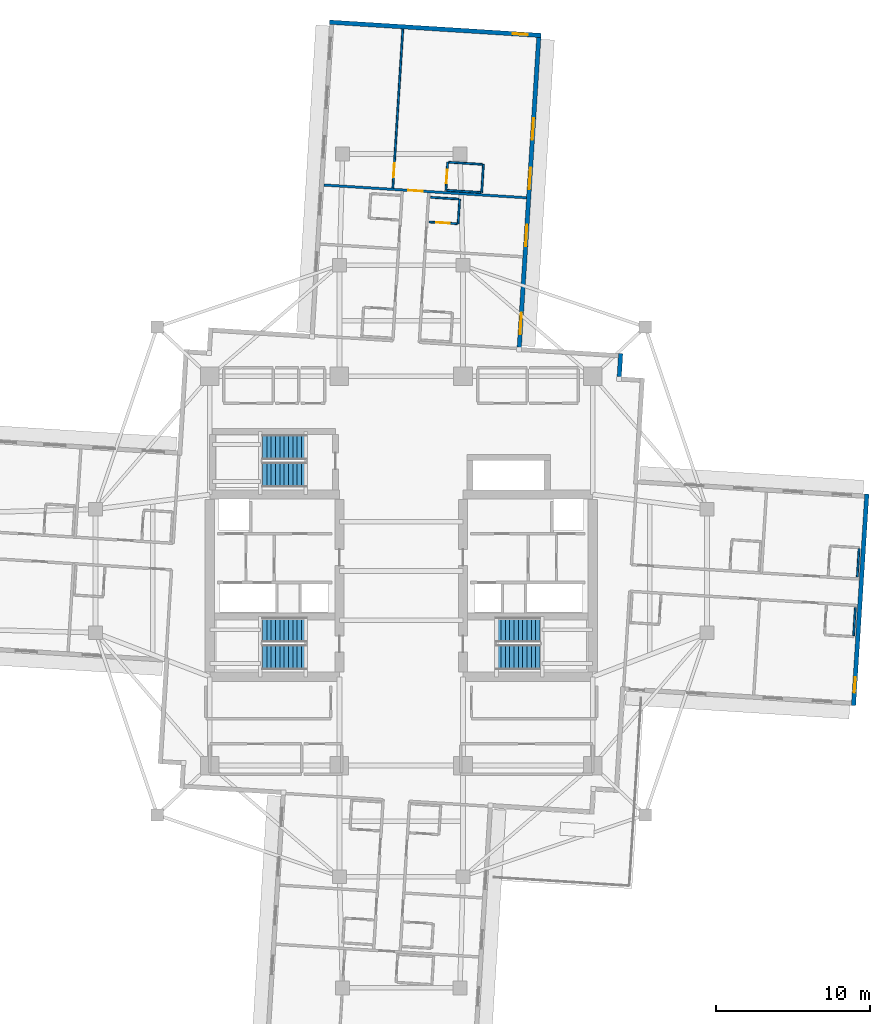
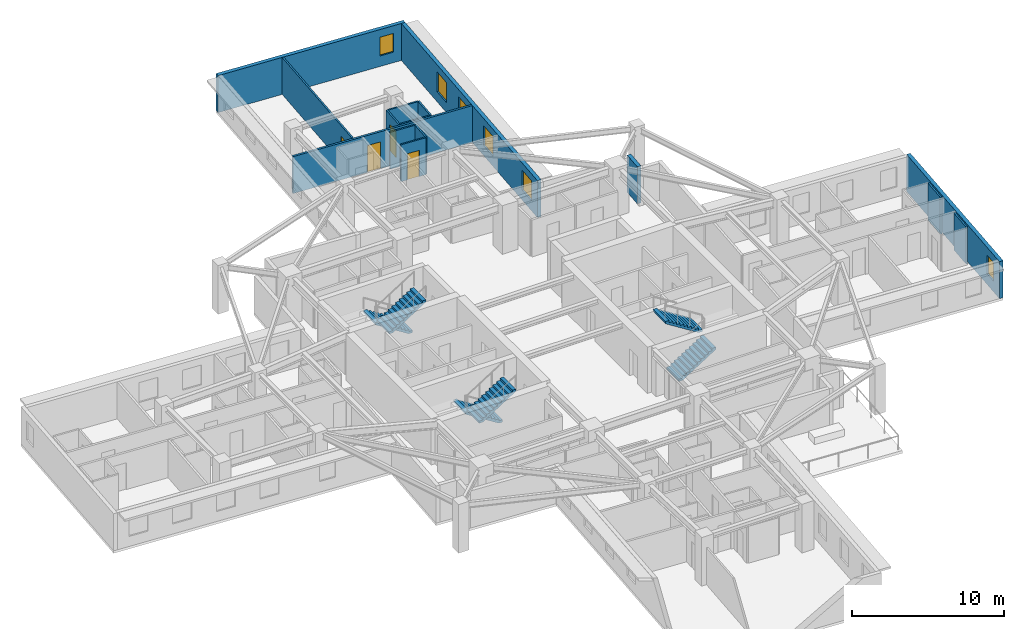
# One storey, part 9 of 14: 15 walls, 6 stair flights, 6 windows, 4 doors, 10 openings, 3 elements without a shape of their own.
"""IFC4 building model written with IfcOpenShell, lengths in metres."""

from ifc_helpers import new_model, si_unit, direction, frame, frame_2d, origin, place, context, subcontext, project, spatial, polyline, rectangle, outline, extrude, material, layer, layer_set, type_object, element, fill, aggregate, save


model = new_model("IFC4")

# Units and contexts
model_context = context("Model", 3, precision=1e-05, world=origin(), true_north=direction((0.0, 1.0)))
body_context = subcontext(model_context, "Body", "Model", "MODEL_VIEW")
ifc_project = project(units=[si_unit("LENGTHUNIT", "METRE"), si_unit("AREAUNIT", "SQUARE_METRE"), si_unit("VOLUMEUNIT", "CUBIC_METRE"), si_unit("PLANEANGLEUNIT", "RADIAN"), si_unit("MASSUNIT", "GRAM", prefix="KILO")], contexts=[model_context])

# Site, building, storey
site_placement = place(None, origin())
site = spatial("IfcSite", under=ifc_project, at=site_placement, CompositionType="ELEMENT")
building_placement = place(site_placement, origin())
building = spatial("IfcBuilding", under=site, at=building_placement, Name="Qingluan Cross Belvedere", CompositionType="ELEMENT")
storey_placement = place(building_placement, frame((0.0, 0.0, 168.300048828125)))
storey = spatial("IfcBuildingStorey", under=building, at=storey_placement, Name="L42", CompositionType="ELEMENT", Elevation=168.300048828125)

# Wall, opening, door
ifc_material_1 = material(Name="Gypsum plasterboard on steel stud acoustic partition", Category="steel")
ifc_layer_1 = layer(ifc_material_1, 0.159912109375, Name="CorridorPartition_160")
ifc_layer_set_1 = layer_set([ifc_layer_1], Name="Gypsum plasterboard on steel stud acoustic partition")
wall_type_1 = type_object("IfcWallType", Name="CorridorPartition_160", PredefinedType="PARTITIONING", material=ifc_layer_set_1)
wall_1_placement = place(storey_placement, frame((-5.012451171875, 24.994140625, 0.0), z_axis=(0.0, 0.0, 1.0), x_axis=(0.998026109115, -0.062800362452, 0.0)))
wall_1 = element("IfcWall", 1, at=wall_1_placement, inside=storey, type_object=wall_type_1, Name="Partition L42:Ncap:in", PredefinedType="PARTITIONING", context=body_context, shape_type="SweptSolid", body=[
    extrude(rectangle(XDim=13.143798828125, YDim=0.159912109375, at=frame_2d((6.57177734375, 0.0))), origin(), (0.0, 0.0, 1.0), 2.9599609375),
])
opening_1_placement = place(wall_1_placement, frame((5.471923828125, 0.0, 0.0)))
opening_1 = element("IfcOpeningElement", 2, at=opening_1_placement, cuts=wall_1, Name="Opening GD-10", PredefinedType="OPENING", context=body_context, shape_type="SweptSolid", body=[
    extrude(rectangle(XDim=0.9599609375, YDim=2.14990234375, at=frame_2d((0.47998046875, 1.074951171875))), frame((0.0, 0.08984375, 0.0), z_axis=(0.0, -1.0, 0.0), x_axis=(1.0, 0.0, 0.0)), (0.0, 0.0, 1.0), 0.179931640625),
])
ifc_material_2 = material(Name="Timber oak fire-rated acoustic guestroom door", Category="wood")
door_type_1 = type_object("IfcDoorType", Name="GuestEntryDoor_FD60", OperationType="NOTDEFINED", PredefinedType="DOOR", material=ifc_material_2)
door_1_placement = place(opening_1_placement, origin())
door_1 = element("IfcDoor", 3, at=door_1_placement, inside=storey, type_object=door_type_1, Name="Horizon corner suite door L42N", OperationType="SINGLE_SWING_LEFT", OverallHeight=2.14990234375, OverallWidth=0.9599609375, PredefinedType="DOOR", context=body_context, shape_type="SweptSolid", body=[
    extrude(rectangle(XDim=0.9599609375, YDim=2.14990234375, at=frame_2d((0.47998046875, 1.074951171875))), frame((0.0, 0.02490234375, 0.0), z_axis=(0.0, -1.0, 0.0), x_axis=(1.0, 0.0, 0.0)), (0.0, 0.0, 1.0), 0.050048828125),
])
fill(opening_1, door_1)

# Walls
ifc_material_3 = material(Name="Moisture-resistant gypsum board lining")
ifc_layer_2 = layer(ifc_material_3, 0.1201171875, Name="EnsuiteWetPartition_120")
ifc_layer_set_2 = layer_set([ifc_layer_2], Name="Moisture-resistant gypsum board lining")
wall_type_2 = type_object("IfcWallType", Name="EnsuiteWetPartition_120", PredefinedType="PARTITIONING", material=ifc_layer_set_2)
for number, where, z_axis, x_axis, name in (
    (4, (29.53466796875, -0.375244140625, 0.0), (0.0, 0.0, 1.0), (0.062779145668, 0.998027443946, 0.0), "Partition L42:E:bw0_1"),
    (5, (29.294921875, -4.187744140625, 0.0), (0.0, 0.0, 1.0), (0.062779145668, 0.998027443946, 0.0), "Partition L42:E:bw1_1"),
):
    element("IfcWall", number, at=place(storey_placement, frame(where, z_axis=z_axis, x_axis=x_axis)), inside=storey, type_object=wall_type_2, Name=name, PredefinedType="PARTITIONING", context=body_context, shape_type="SweptSolid", body=[
        extrude(rectangle(XDim=1.820068359375, YDim=0.1201171875, at=frame_2d((0.91015625, 0.0))), origin(), (0.0, 0.0, 1.0), 2.9599609375),
    ])

# Wall, opening, door
wall_2_placement = place(storey_placement, frame((1.802734375, 22.601318359375, 0.0), z_axis=(0.0, 0.0, 1.0), x_axis=(0.998027443946, -0.062779145668, 0.0)))
wall_2 = element("IfcWall", 6, at=wall_2_placement, inside=storey, type_object=wall_type_2, Name="Partition L42:N:bs0_1", PredefinedType="PARTITIONING", context=body_context, shape_type="SweptSolid", body=[
    extrude(rectangle(XDim=1.820068359375, YDim=0.1201171875, at=frame_2d((0.91015625, 0.0))), origin(), (0.0, 0.0, 1.0), 2.9599609375),
])
opening_2_placement = place(wall_2_placement, frame((0.469970703125, 0.0, 0.0)))
opening_2 = element("IfcOpeningElement", 7, at=opening_2_placement, cuts=wall_2, Name="Opening BD-09", PredefinedType="OPENING", context=body_context, shape_type="SweptSolid", body=[
    extrude(rectangle(XDim=0.8798828125, YDim=2.10009765625, at=frame_2d((0.43994140625, 1.050048828125))), frame((0.0, 0.070068359375, 0.0), z_axis=(0.0, -1.0, 0.0), x_axis=(1.0, 0.0, 0.0)), (0.0, 0.0, 1.0), 0.14013671875),
])
ifc_material_4 = material(Name="Moisture-sealed timber en-suite door", Category="wood")
door_type_2 = type_object("IfcDoorType", Name="BathroomDoor_880", OperationType="NOTDEFINED", PredefinedType="DOOR", material=ifc_material_4)
door_2_placement = place(opening_2_placement, origin())
door_2 = element("IfcDoor", 8, at=door_2_placement, inside=storey, type_object=door_type_2, Name="Bathroom door 4212", OperationType="SINGLE_SWING_LEFT", OverallHeight=2.10009765625, OverallWidth=0.8798828125, PredefinedType="DOOR", context=body_context, shape_type="SweptSolid", body=[
    extrude(rectangle(XDim=0.8798828125, YDim=2.10009765625, at=frame_2d((0.43994140625, 1.050048828125))), frame((0.0, 0.02490234375, 0.0), z_axis=(0.0, -1.0, 0.0), x_axis=(1.0, 0.0, 0.0)), (0.0, 0.0, 1.0), 0.050048828125),
])
fill(opening_2, door_2)

# Walls
wall_3_placement = place(storey_placement, frame((1.9033203125, 24.1982421875, 0.0), z_axis=(0.0, 0.0, 1.0), x_axis=(0.998026915151, -0.062787551592, 0.0)))
element("IfcWall", 9, at=wall_3_placement, inside=storey, type_object=wall_type_2, Name="Partition L42:N:bw0_1", PredefinedType="PARTITIONING", context=body_context, shape_type="SweptSolid", body=[
    extrude(rectangle(XDim=1.81982421875, YDim=0.1201171875, at=frame_2d((0.909912109375, 0.0))), origin(), (0.0, 0.0, 1.0), 2.9599609375),
])
wall_4_placement = place(storey_placement, frame((3.68408203125, 22.48291015625, 0.0), z_axis=(0.0, 0.0, 1.0), x_axis=(0.06271075472, 0.998031743605, 0.0)))
element("IfcWall", 10, at=wall_4_placement, inside=storey, type_object=wall_type_2, Name="Partition L42:N:bn0_1", PredefinedType="PARTITIONING", context=body_context, shape_type="SweptSolid", body=[
    extrude(rectangle(XDim=1.60009765625, YDim=0.1201171875, at=frame_2d((0.800048828125, 0.0))), origin(), (0.0, 0.0, 1.0), 2.9599609375),
])

# Wall, opening, door
wall_5_placement = place(storey_placement, frame((-0.543701171875, 24.802978515625, 0.0), z_axis=(0.0, 0.0, 1.0), x_axis=(0.062786562543, 0.998026977373, 0.0)))
wall_5 = element("IfcWall", 11, at=wall_5_placement, inside=storey, type_object=wall_type_2, Name="Partition L42:Ncap:m2", PredefinedType="PARTITIONING", context=body_context, shape_type="SweptSolid", body=[
    extrude(rectangle(XDim=10.31201171875, YDim=0.1201171875, at=frame_2d((5.156005859375, 0.0))), origin(), (0.0, 0.0, 1.0), 2.9599609375),
])
opening_3_placement = place(wall_5_placement, frame((0.699951171875, 0.0, 0.0)))
opening_3 = element("IfcOpeningElement", 12, at=opening_3_placement, cuts=wall_5, Name="Opening BD-89", PredefinedType="OPENING", context=body_context, shape_type="SweptSolid", body=[
    extrude(rectangle(XDim=0.89990234375, YDim=2.10009765625, at=frame_2d((0.449951171875, 1.050048828125))), frame((0.0, 0.070068359375, 0.0), z_axis=(0.0, -1.0, 0.0), x_axis=(1.0, 0.0, 0.0)), (0.0, 0.0, 1.0), 0.14013671875),
])
ifc_material_5 = material(Name="Timber acoustic study door", Category="wood")
door_type_3 = type_object("IfcDoorType", Name="SuiteStudyDoor_900", OperationType="NOTDEFINED", PredefinedType="DOOR", material=ifc_material_5)
door_3_placement = place(opening_3_placement, origin())
door_3 = element("IfcDoor", 13, at=door_3_placement, inside=storey, type_object=door_type_3, Name="Suite private study door L42N", OperationType="SINGLE_SWING_LEFT", OverallHeight=2.10009765625, OverallWidth=0.89990234375, PredefinedType="DOOR", context=body_context, shape_type="SweptSolid", body=[
    extrude(rectangle(XDim=0.89990234375, YDim=2.10009765625, at=frame_2d((0.449951171875, 1.050048828125))), frame((0.0, 0.02490234375, 0.0), z_axis=(0.0, -1.0, 0.0), x_axis=(1.0, 0.0, 0.0)), (0.0, 0.0, 1.0), 0.050048828125),
])
fill(opening_3, door_3)

wall_6_placement = place(storey_placement, frame((2.893798828125, 24.656982421875, 0.0), z_axis=(0.0, 0.0, 1.0), x_axis=(0.062912758763, 0.998019030272, 0.0)))
wall_6 = element("IfcWall", 14, at=wall_6_placement, inside=storey, type_object=wall_type_2, Name="Partition L42:Ncap:b2s", PredefinedType="PARTITIONING", context=body_context, shape_type="SweptSolid", body=[
    extrude(rectangle(XDim=1.820068359375, YDim=0.1201171875, at=frame_2d((0.91015625, 0.0))), origin(), (0.0, 0.0, 1.0), 2.9599609375),
])
opening_4_placement = place(wall_6_placement, frame((0.449951171875, 0.0, 0.0)))
opening_4 = element("IfcOpeningElement", 15, at=opening_4_placement, cuts=wall_6, Name="Opening BD-09", PredefinedType="OPENING", context=body_context, shape_type="SweptSolid", body=[
    extrude(rectangle(XDim=0.8798828125, YDim=2.10009765625, at=frame_2d((0.43994140625, 1.050048828125))), frame((0.0, 0.070068359375, 0.0), z_axis=(0.0, -1.0, 0.0), x_axis=(1.0, 0.0, 0.0)), (0.0, 0.0, 1.0), 0.14013671875),
])
door_4_placement = place(opening_4_placement, origin())
door_4 = element("IfcDoor", 16, at=door_4_placement, inside=storey, type_object=door_type_2, Name="En-suite bathroom door L42N", OperationType="SINGLE_SWING_RIGHT", OverallHeight=2.10009765625, OverallWidth=0.8798828125, PredefinedType="DOOR", context=body_context, shape_type="SweptSolid", body=[
    extrude(rectangle(XDim=0.8798828125, YDim=2.10009765625, at=frame_2d((0.43994140625, 1.050048828125))), frame((0.0, 0.02490234375, 0.0), z_axis=(0.0, -1.0, 0.0), x_axis=(1.0, 0.0, 0.0)), (0.0, 0.0, 1.0), 0.050048828125),
])
fill(opening_4, door_4)

# Walls
wall_7_placement = place(storey_placement, frame((5.20947265625, 24.51123046875, 0.0), z_axis=(0.0, 0.0, 1.0), x_axis=(0.062645529196, 0.998035839873, 0.0)))
element("IfcWall", 17, at=wall_7_placement, inside=storey, type_object=wall_type_2, Name="Partition L42:Ncap:b2b", PredefinedType="PARTITIONING", context=body_context, shape_type="SweptSolid", body=[
    extrude(rectangle(XDim=1.820068359375, YDim=0.1201171875, at=frame_2d((0.91015625, 0.0))), origin(), (0.0, 0.0, 1.0), 2.9599609375),
])
wall_8_placement = place(storey_placement, frame((2.9638671875, 24.652587890625, 0.0), z_axis=(0.0, 0.0, 1.0), x_axis=(0.99802414895, -0.06283150573, 0.0)))
element("IfcWall", 18, at=wall_8_placement, inside=storey, type_object=wall_type_2, Name="Partition L42:Ncap:b2a", PredefinedType="PARTITIONING", context=body_context, shape_type="SweptSolid", body=[
    extrude(rectangle(XDim=2.179931640625, YDim=0.1201171875, at=frame_2d((1.08984375, 0.0))), origin(), (0.0, 0.0, 1.0), 2.9599609375),
])
wall_9_placement = place(storey_placement, frame((3.078125, 26.468994140625, 0.0), z_axis=(0.0, 0.0, 1.0), x_axis=(0.998024591026, -0.062824483344, 0.0)))
element("IfcWall", 19, at=wall_9_placement, inside=storey, type_object=wall_type_2, Name="Partition L42:Ncap:b2n", PredefinedType="PARTITIONING", context=body_context, shape_type="SweptSolid", body=[
    extrude(rectangle(XDim=2.18017578125, YDim=0.1201171875, at=frame_2d((1.090087890625, 0.0))), origin(), (0.0, 0.0, 1.0), 2.9599609375),
])

# Wall, opening, window
ifc_material_6 = material(Name="Precast concrete C45", Category="concrete")
ifc_layer_3 = layer(ifc_material_6, 0.280029296875, Name="PrecastFacadeWall_280")
ifc_layer_set_3 = layer_set([ifc_layer_3], Name="Precast concrete C45")
wall_type_3 = type_object("IfcWallType", Name="PrecastFacadeWall_280", PredefinedType="STANDARD", material=ifc_layer_set_3)
wall_10_placement = place(storey_placement, frame((29.29052734375, -8.71630859375, 0.0), z_axis=(0.0, 0.0, 1.0), x_axis=(0.062797041623, 0.998026318072, 0.0)))
wall_10 = element("IfcWall", 20, at=wall_10_placement, inside=storey, type_object=wall_type_3, Name="Arm tip precast facade wall L42-E", PredefinedType="STANDARD", context=body_context, shape_type="SweptSolid", body=[
    extrude(rectangle(XDim=13.719970703125, YDim=0.280029296875, at=frame_2d((6.85986328125, 0.0))), origin(), (0.0, 0.0, 1.0), 2.969970703125),
])
opening_5_placement = place(wall_10_placement, frame((0.85009765625, 0.0, 0.85009765625)))
opening_5 = element("IfcOpeningElement", 21, at=opening_5_placement, cuts=wall_10, Name="Opening W-03", PredefinedType="OPENING", context=body_context, shape_type="SweptSolid", body=[
    extrude(rectangle(XDim=1.0, YDim=1.5, at=frame_2d((0.5, 0.75))), frame((0.0, 0.14990234375, 0.0), z_axis=(0.0, -1.0, 0.0), x_axis=(1.0, 0.0, 0.0)), (0.0, 0.0, 1.0), 0.300048828125),
])
ifc_material_7 = material(Name="Thermally broken triple Low-E glass in aluminium frame", Category="aluminium")
window_type_1 = type_object("IfcWindowType", Name="TriApexWin_1000x1500", PartitioningType="SINGLE_PANEL", PredefinedType="WINDOW", material=ifc_material_7)
window_1_placement = place(opening_5_placement, origin())
window_1 = element("IfcWindow", 22, at=window_1_placement, inside=storey, type_object=window_type_1, Name="Arm tip triangular window L42-E", OverallHeight=1.5, OverallWidth=1.0, PartitioningType="SINGLE_PANEL", PredefinedType="WINDOW", context=body_context, shape_type="SweptSolid", body=[
    extrude(rectangle(XDim=1.0, YDim=1.5, at=frame_2d((0.5, 0.75))), frame((0.0, 0.030029296875, 0.0), z_axis=(0.0, -1.0, 0.0), x_axis=(1.0, 0.0, 0.0)), (0.0, 0.0, 1.0), 0.06005859375),
])
fill(opening_5, window_1)

# Wall, openings, windows
wall_11_placement = place(storey_placement, frame((7.644775390625, 14.488525390625, 0.0), z_axis=(0.0, 0.0, 1.0), x_axis=(0.06279645424, 0.99802635503, 0.0)))
wall_11 = element("IfcWall", 23, at=wall_11_placement, inside=storey, type_object=wall_type_3, Name="Facade wall L42-NA", PredefinedType="STANDARD", context=body_context, shape_type="SweptSolid", body=[
    extrude(rectangle(XDim=20.099853515625, YDim=0.280029296875, at=frame_2d((10.0498046875, 0.0))), origin(), (0.0, 0.0, 1.0), 2.969970703125),
])
opening_6_placement = place(wall_11_placement, frame((0.85009765625, 0.0, 0.800048828125)))
opening_6 = element("IfcOpeningElement", 24, at=opening_6_placement, cuts=wall_11, Name="Opening W-01", PredefinedType="OPENING", context=body_context, shape_type="SweptSolid", body=[
    extrude(rectangle(XDim=1.39990234375, YDim=1.60009765625, at=frame_2d((0.699951171875, 0.800048828125))), frame((0.0, 0.14990234375, 0.0), z_axis=(0.0, -1.0, 0.0), x_axis=(1.0, 0.0, 0.0)), (0.0, 0.0, 1.0), 0.300048828125),
])
opening_7_placement = place(wall_11_placement, frame((6.550048828125, 0.0, 0.800048828125)))
opening_7 = element("IfcOpeningElement", 25, at=opening_7_placement, cuts=wall_11, Name="Opening W-01", PredefinedType="OPENING", context=body_context, shape_type="SweptSolid", body=[
    extrude(rectangle(XDim=1.39990234375, YDim=1.60009765625, at=frame_2d((0.699951171875, 0.800048828125))), frame((0.0, 0.14990234375, 0.0), z_axis=(0.0, -1.0, 0.0), x_axis=(1.0, 0.0, 0.0)), (0.0, 0.0, 1.0), 0.300048828125),
])
opening_8_placement = place(wall_11_placement, frame((10.25, 0.0, 0.800048828125)))
opening_8 = element("IfcOpeningElement", 26, at=opening_8_placement, cuts=wall_11, Name="Opening W-01", PredefinedType="OPENING", context=body_context, shape_type="SweptSolid", body=[
    extrude(rectangle(XDim=1.39990234375, YDim=1.60009765625, at=frame_2d((0.699951171875, 0.800048828125))), frame((0.0, 0.14990234375, 0.0), z_axis=(0.0, -1.0, 0.0), x_axis=(1.0, 0.0, 0.0)), (0.0, 0.0, 1.0), 0.300048828125),
])
opening_9_placement = place(wall_11_placement, frame((13.449951171875, 0.0, 0.800048828125)))
opening_9 = element("IfcOpeningElement", 27, at=opening_9_placement, cuts=wall_11, Name="Opening W-01", PredefinedType="OPENING", context=body_context, shape_type="SweptSolid", body=[
    extrude(rectangle(XDim=1.39990234375, YDim=1.60009765625, at=frame_2d((0.699951171875, 0.800048828125))), frame((0.0, 0.14990234375, 0.0), z_axis=(0.0, -1.0, 0.0), x_axis=(1.0, 0.0, 0.0)), (0.0, 0.0, 1.0), 0.300048828125),
])
ifc_material_8 = material(Name="Thermally broken triple Low-E glass in aluminium frame", Category="aluminium")
window_type_2 = type_object("IfcWindowType", Name="TriRibbonWin_1400x1600", PartitioningType="SINGLE_PANEL", PredefinedType="WINDOW", material=ifc_material_8)
window_2_placement = place(opening_6_placement, origin())
window_2 = element("IfcWindow", 28, at=window_2_placement, inside=storey, type_object=window_type_2, Name="Ribbon window L42-NA-1", OverallHeight=1.60009765625, OverallWidth=1.39990234375, PartitioningType="SINGLE_PANEL", PredefinedType="WINDOW", context=body_context, shape_type="SweptSolid", body=[
    extrude(rectangle(XDim=1.39990234375, YDim=1.60009765625, at=frame_2d((0.699951171875, 0.800048828125))), frame((0.0, 0.030029296875, 0.0), z_axis=(0.0, -1.0, 0.0), x_axis=(1.0, 0.0, 0.0)), (0.0, 0.0, 1.0), 0.06005859375),
])
fill(opening_6, window_2)
window_3_placement = place(opening_7_placement, origin())
window_3 = element("IfcWindow", 29, at=window_3_placement, inside=storey, type_object=window_type_2, Name="Ribbon window L42-NA-2", OverallHeight=1.60009765625, OverallWidth=1.39990234375, PartitioningType="SINGLE_PANEL", PredefinedType="WINDOW", context=body_context, shape_type="SweptSolid", body=[
    extrude(rectangle(XDim=1.39990234375, YDim=1.60009765625, at=frame_2d((0.699951171875, 0.800048828125))), frame((0.0, 0.030029296875, 0.0), z_axis=(0.0, -1.0, 0.0), x_axis=(1.0, 0.0, 0.0)), (0.0, 0.0, 1.0), 0.06005859375),
])
fill(opening_7, window_3)
window_4_placement = place(opening_8_placement, origin())
window_4 = element("IfcWindow", 30, at=window_4_placement, inside=storey, type_object=window_type_2, Name="Ribbon window L42-NA-3", OverallHeight=1.60009765625, OverallWidth=1.39990234375, PartitioningType="SINGLE_PANEL", PredefinedType="WINDOW", context=body_context, shape_type="SweptSolid", body=[
    extrude(rectangle(XDim=1.39990234375, YDim=1.60009765625, at=frame_2d((0.699951171875, 0.800048828125))), frame((0.0, 0.030029296875, 0.0), z_axis=(0.0, -1.0, 0.0), x_axis=(1.0, 0.0, 0.0)), (0.0, 0.0, 1.0), 0.06005859375),
])
fill(opening_8, window_4)
window_5_placement = place(opening_9_placement, origin())
window_5 = element("IfcWindow", 31, at=window_5_placement, inside=storey, type_object=window_type_2, Name="Ribbon window L42-NA-4", OverallHeight=1.60009765625, OverallWidth=1.39990234375, PartitioningType="SINGLE_PANEL", PredefinedType="WINDOW", context=body_context, shape_type="SweptSolid", body=[
    extrude(rectangle(XDim=1.39990234375, YDim=1.60009765625, at=frame_2d((0.699951171875, 0.800048828125))), frame((0.0, 0.030029296875, 0.0), z_axis=(0.0, -1.0, 0.0), x_axis=(1.0, 0.0, 0.0)), (0.0, 0.0, 1.0), 0.06005859375),
])
fill(opening_9, window_5)

# Wall, opening, window
wall_12_placement = place(storey_placement, frame((9.055419921875, 34.6796875, 0.0), z_axis=(0.0, 0.0, 1.0), x_axis=(-0.998026318072, 0.062797041623, 0.0)))
wall_12 = element("IfcWall", 32, at=wall_12_placement, inside=storey, type_object=wall_type_3, Name="Arm tip precast facade wall L42-N", PredefinedType="STANDARD", context=body_context, shape_type="SweptSolid", body=[
    extrude(rectangle(XDim=13.719970703125, YDim=0.280029296875, at=frame_2d((6.85986328125, 0.0))), origin(), (0.0, 0.0, 1.0), 2.969970703125),
])
opening_10_placement = place(wall_12_placement, frame((0.85009765625, 0.0, 0.85009765625)))
opening_10 = element("IfcOpeningElement", 33, at=opening_10_placement, cuts=wall_12, Name="Opening W-03", PredefinedType="OPENING", context=body_context, shape_type="SweptSolid", body=[
    extrude(rectangle(XDim=1.0, YDim=1.5, at=frame_2d((0.5, 0.75))), frame((0.0, 0.14990234375, 0.0), z_axis=(0.0, -1.0, 0.0), x_axis=(1.0, 0.0, 0.0)), (0.0, 0.0, 1.0), 0.300048828125),
])
window_6_placement = place(opening_10_placement, origin())
window_6 = element("IfcWindow", 34, at=window_6_placement, inside=storey, type_object=window_type_1, Name="Arm tip triangular window L42-N", OverallHeight=1.5, OverallWidth=1.0, PartitioningType="SINGLE_PANEL", PredefinedType="WINDOW", context=body_context, shape_type="SweptSolid", body=[
    extrude(rectangle(XDim=1.0, YDim=1.5, at=frame_2d((0.5, 0.75))), frame((0.0, 0.030029296875, 0.0), z_axis=(0.0, -1.0, 0.0), x_axis=(1.0, 0.0, 0.0)), (0.0, 0.0, 1.0), 0.06005859375),
])
fill(opening_10, window_6)

# Wall
wall_13_placement = place(storey_placement, frame((14.11767578125, 12.578369140625, 0.0), z_axis=(0.0, 0.0, 1.0), x_axis=(0.062824119533, 0.998024613927, 0.0)))
element("IfcWall", 35, at=wall_13_placement, inside=storey, type_object=wall_type_3, Name="Corner wall L42-NE3", PredefinedType="STANDARD", context=body_context, shape_type="SweptSolid", body=[
    extrude(rectangle(XDim=1.5, YDim=0.280029296875, at=frame_2d((0.75, 0.0))), origin(), (0.0, 0.0, 1.0), 2.969970703125),
])

# Stair, stair flights
ifc_material_9 = material(Name="Concrete C40", Category="concrete")
stair_type = type_object("IfcStairType", Name="CoreDoglegStair_1620", PredefinedType="HALF_TURN_STAIR", material=ifc_material_9)
stair_1_placement = place(storey_placement, origin())
stair_1 = element("IfcStair", 36, at=stair_1_placement, inside=storey, type_object=stair_type, Name="L42 ST1", PredefinedType="HALF_TURN_STAIR")
ifc_material_10 = material(Name="Concrete C40", Category="concrete")
ifc_layer_4 = layer(ifc_material_10, 0.179931640625, Name="StairFlight_RC180")
ifc_layer_set_4 = layer_set([ifc_layer_4], Name="Concrete C40")
stair_flight_type = type_object("IfcStairFlightType", Name="StairFlight_RC180", PredefinedType="STRAIGHT", material=ifc_layer_set_4)
stair_flight_1_placement = place(storey_placement, frame((-6.179931640625, -3.81005859375, 0.0), z_axis=(0.0, 0.0, 1.0), x_axis=(-1.0, 0.0, 0.0)))
stair_flight_1 = element("IfcStairFlight", 37, at=stair_flight_1_placement, type_object=stair_flight_type, Name="ST1 flight 1", NumberOfRisers=11, NumberOfTreads=10, PredefinedType="STRAIGHT", RiserHeight=0.177272727, TreadLength=0.28, context=body_context, shape_type="SweptSolid", body=[
    extrude(outline(polyline([(0.0, 0.0), (0.0, 0.17724609375), (0.280029296875, 0.17724609375), (0.280029296875, 0.3544921875), (0.56005859375, 0.3544921875), (0.56005859375, 0.53173828125), (0.840087890625, 0.53173828125), (0.840087890625, 0.708984375), (1.1201171875, 0.708984375), (1.1201171875, 0.886474609375), (1.39990234375, 0.886474609375), (1.39990234375, 1.063720703125), (1.679931640625, 1.063720703125), (1.679931640625, 1.240966796875), (1.9599609375, 1.240966796875), (1.9599609375, 1.418212890625), (2.239990234375, 1.418212890625), (2.239990234375, 1.595458984375), (2.52001953125, 1.595458984375), (2.52001953125, 1.772705078125), (2.800048828125, 1.772705078125), (2.800048828125, 1.949951171875), (2.800048828125, 1.59521484375), (0.2802734375, 0.0), (0.0, 0.0)])), frame((0.0, 0.81005859375, 0.0), z_axis=(0.0, -1.0, 0.0), x_axis=(1.0, 0.0, 0.0)), (0.0, 0.0, 1.0), 1.6201171875),
])
stair_flight_2_placement = place(storey_placement, frame((-8.97998046875, -5.590087890625, 1.949951171875), z_axis=(0.0, 0.0, 1.0), x_axis=(1.0, 0.0, 0.0)))
stair_flight_2 = element("IfcStairFlight", 38, at=stair_flight_2_placement, type_object=stair_flight_type, Name="ST1 flight 2", NumberOfRisers=11, NumberOfTreads=10, PredefinedType="STRAIGHT", RiserHeight=0.177272727, TreadLength=0.28, context=body_context, shape_type="SweptSolid", body=[
    extrude(outline(polyline([(0.0, 0.0), (0.0, 0.17724609375), (0.280029296875, 0.17724609375), (0.280029296875, 0.3544921875), (0.56005859375, 0.3544921875), (0.56005859375, 0.53173828125), (0.840087890625, 0.53173828125), (0.840087890625, 0.708984375), (1.1201171875, 0.708984375), (1.1201171875, 0.886474609375), (1.39990234375, 0.886474609375), (1.39990234375, 1.063720703125), (1.679931640625, 1.063720703125), (1.679931640625, 1.240966796875), (1.9599609375, 1.240966796875), (1.9599609375, 1.418212890625), (2.239990234375, 1.418212890625), (2.239990234375, 1.595458984375), (2.52001953125, 1.595458984375), (2.52001953125, 1.772705078125), (2.800048828125, 1.772705078125), (2.800048828125, 1.949951171875), (2.800048828125, 1.59521484375), (0.2802734375, 0.0), (0.0, 0.0)])), frame((0.0, 0.81005859375, 0.0), z_axis=(0.0, -1.0, 0.0), x_axis=(1.0, 0.0, 0.0)), (0.0, 0.0, 1.0), 1.6201171875),
])
aggregate(stair_1, [stair_flight_1, stair_flight_2])

stair_2_placement = place(storey_placement, origin())
stair_2 = element("IfcStair", 39, at=stair_2_placement, inside=storey, type_object=stair_type, Name="L42 ST2", PredefinedType="HALF_TURN_STAIR")
stair_flight_3_placement = place(storey_placement, frame((6.179931640625, -5.590087890625, 0.0), z_axis=(0.0, 0.0, 1.0), x_axis=(1.0, 0.0, 0.0)))
stair_flight_3 = element("IfcStairFlight", 40, at=stair_flight_3_placement, type_object=stair_flight_type, Name="ST2 flight 1", NumberOfRisers=11, NumberOfTreads=10, PredefinedType="STRAIGHT", RiserHeight=0.177272727, TreadLength=0.28, context=body_context, shape_type="SweptSolid", body=[
    extrude(outline(polyline([(0.0, 0.0), (0.0, 0.17724609375), (0.280029296875, 0.17724609375), (0.280029296875, 0.3544921875), (0.56005859375, 0.3544921875), (0.56005859375, 0.53173828125), (0.840087890625, 0.53173828125), (0.840087890625, 0.708984375), (1.1201171875, 0.708984375), (1.1201171875, 0.886474609375), (1.39990234375, 0.886474609375), (1.39990234375, 1.063720703125), (1.679931640625, 1.063720703125), (1.679931640625, 1.240966796875), (1.9599609375, 1.240966796875), (1.9599609375, 1.418212890625), (2.239990234375, 1.418212890625), (2.239990234375, 1.595458984375), (2.52001953125, 1.595458984375), (2.52001953125, 1.772705078125), (2.800048828125, 1.772705078125), (2.800048828125, 1.949951171875), (2.800048828125, 1.59521484375), (0.2802734375, 0.0), (0.0, 0.0)])), frame((0.0, 0.81005859375, 0.0), z_axis=(0.0, -1.0, 0.0), x_axis=(1.0, 0.0, 0.0)), (0.0, 0.0, 1.0), 1.6201171875),
])
stair_flight_4_placement = place(storey_placement, frame((8.97998046875, -3.81005859375, 1.949951171875), z_axis=(0.0, 0.0, 1.0), x_axis=(-1.0, 0.0, 0.0)))
stair_flight_4 = element("IfcStairFlight", 41, at=stair_flight_4_placement, type_object=stair_flight_type, Name="ST2 flight 2", NumberOfRisers=11, NumberOfTreads=10, PredefinedType="STRAIGHT", RiserHeight=0.177272727, TreadLength=0.28, context=body_context, shape_type="SweptSolid", body=[
    extrude(outline(polyline([(0.0, 0.0), (0.0, 0.17724609375), (0.280029296875, 0.17724609375), (0.280029296875, 0.3544921875), (0.56005859375, 0.3544921875), (0.56005859375, 0.53173828125), (0.840087890625, 0.53173828125), (0.840087890625, 0.708984375), (1.1201171875, 0.708984375), (1.1201171875, 0.886474609375), (1.39990234375, 0.886474609375), (1.39990234375, 1.063720703125), (1.679931640625, 1.063720703125), (1.679931640625, 1.240966796875), (1.9599609375, 1.240966796875), (1.9599609375, 1.418212890625), (2.239990234375, 1.418212890625), (2.239990234375, 1.595458984375), (2.52001953125, 1.595458984375), (2.52001953125, 1.772705078125), (2.800048828125, 1.772705078125), (2.800048828125, 1.949951171875), (2.800048828125, 1.59521484375), (0.2802734375, 0.0), (0.0, 0.0)])), frame((0.0, 0.81005859375, 0.0), z_axis=(0.0, -1.0, 0.0), x_axis=(1.0, 0.0, 0.0)), (0.0, 0.0, 1.0), 1.6201171875),
])
aggregate(stair_2, [stair_flight_3, stair_flight_4])

stair_3_placement = place(storey_placement, origin())
stair_3 = element("IfcStair", 42, at=stair_3_placement, inside=storey, type_object=stair_type, Name="L42 ST3", PredefinedType="HALF_TURN_STAIR")
stair_flight_5_placement = place(storey_placement, frame((-6.179931640625, 8.010009765625, 0.0), z_axis=(0.0, 0.0, 1.0), x_axis=(-1.0, 0.0, 0.0)))
stair_flight_5 = element("IfcStairFlight", 43, at=stair_flight_5_placement, type_object=stair_flight_type, Name="ST3 flight 1", NumberOfRisers=11, NumberOfTreads=10, PredefinedType="STRAIGHT", RiserHeight=0.177272727, TreadLength=0.28, context=body_context, shape_type="SweptSolid", body=[
    extrude(outline(polyline([(0.0, 0.0), (0.0, 0.17724609375), (0.280029296875, 0.17724609375), (0.280029296875, 0.3544921875), (0.56005859375, 0.3544921875), (0.56005859375, 0.53173828125), (0.840087890625, 0.53173828125), (0.840087890625, 0.708984375), (1.1201171875, 0.708984375), (1.1201171875, 0.886474609375), (1.39990234375, 0.886474609375), (1.39990234375, 1.063720703125), (1.679931640625, 1.063720703125), (1.679931640625, 1.240966796875), (1.9599609375, 1.240966796875), (1.9599609375, 1.418212890625), (2.239990234375, 1.418212890625), (2.239990234375, 1.595458984375), (2.52001953125, 1.595458984375), (2.52001953125, 1.772705078125), (2.800048828125, 1.772705078125), (2.800048828125, 1.949951171875), (2.800048828125, 1.59521484375), (0.2802734375, 0.0), (0.0, 0.0)])), frame((0.0, 0.81005859375, 0.0), z_axis=(0.0, -1.0, 0.0), x_axis=(1.0, 0.0, 0.0)), (0.0, 0.0, 1.0), 1.6201171875),
])
stair_flight_6_placement = place(storey_placement, frame((-8.97998046875, 6.22998046875, 1.949951171875), z_axis=(0.0, 0.0, 1.0), x_axis=(1.0, 0.0, 0.0)))
stair_flight_6 = element("IfcStairFlight", 44, at=stair_flight_6_placement, type_object=stair_flight_type, Name="ST3 flight 2", NumberOfRisers=11, NumberOfTreads=10, PredefinedType="STRAIGHT", RiserHeight=0.177272727, TreadLength=0.28, context=body_context, shape_type="SweptSolid", body=[
    extrude(outline(polyline([(0.0, 0.0), (0.0, 0.17724609375), (0.280029296875, 0.17724609375), (0.280029296875, 0.3544921875), (0.56005859375, 0.3544921875), (0.56005859375, 0.53173828125), (0.840087890625, 0.53173828125), (0.840087890625, 0.708984375), (1.1201171875, 0.708984375), (1.1201171875, 0.886474609375), (1.39990234375, 0.886474609375), (1.39990234375, 1.063720703125), (1.679931640625, 1.063720703125), (1.679931640625, 1.240966796875), (1.9599609375, 1.240966796875), (1.9599609375, 1.418212890625), (2.239990234375, 1.418212890625), (2.239990234375, 1.595458984375), (2.52001953125, 1.595458984375), (2.52001953125, 1.772705078125), (2.800048828125, 1.772705078125), (2.800048828125, 1.949951171875), (2.800048828125, 1.59521484375), (0.2802734375, 0.0), (0.0, 0.0)])), frame((0.0, 0.81005859375, 0.0), z_axis=(0.0, -1.0, 0.0), x_axis=(1.0, 0.0, 0.0)), (0.0, 0.0, 1.0), 1.6201171875),
])
aggregate(stair_3, [stair_flight_5, stair_flight_6])

save(model, "model.ifc")
